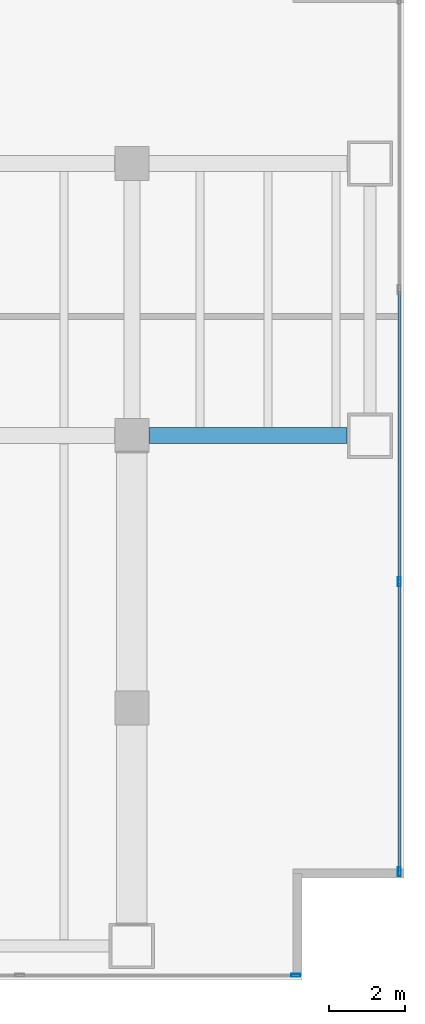
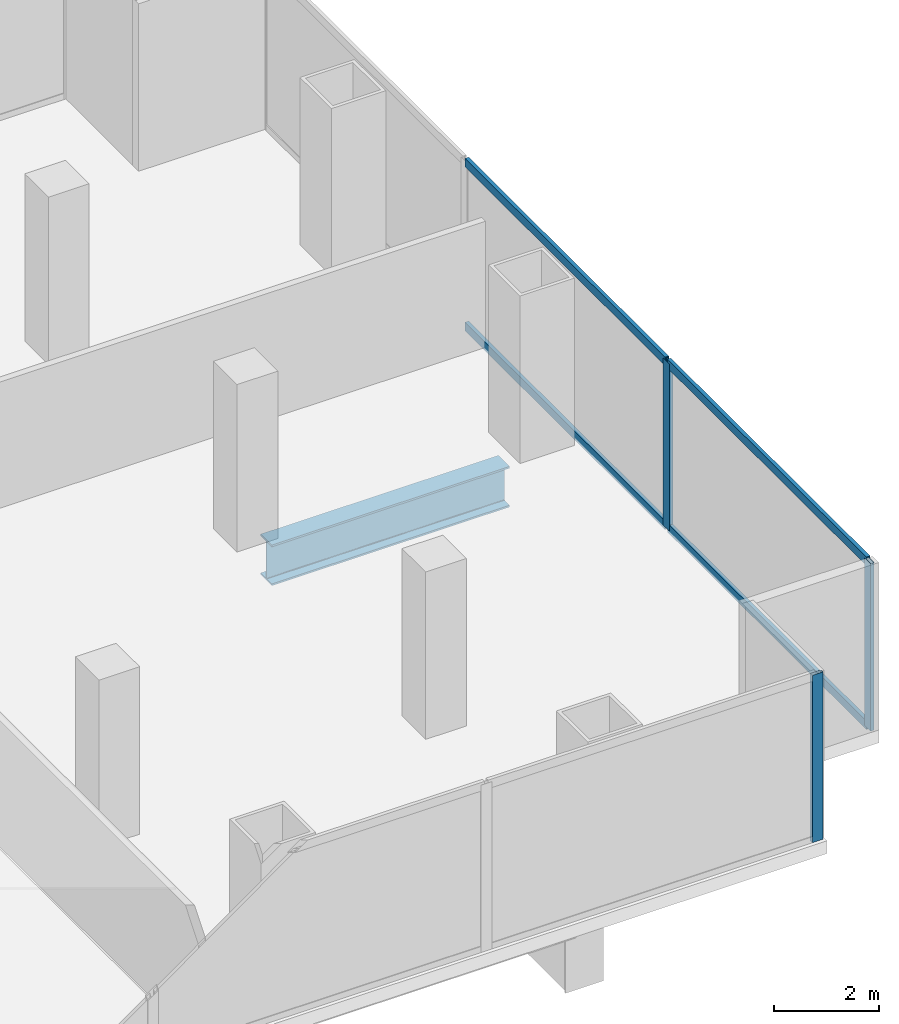
# One storey, part 20 of 34: 7 members, 1 beam, 2 elements without a shape of their own.
"""IFC4 building model written with IfcOpenShell, lengths in metres."""

from ifc_helpers import new_model, si_unit, direction, frame, origin, origin_2d, place, context, subcontext, project, spatial, hollow_rectangle, i_section, extrude, material, material_profile, profile_set, type_object, element, aggregate, save


model = new_model("IFC4")

# Units and contexts
model_context = context("Model", 3, precision=1e-05, world=origin(), true_north=direction((0.0, 1.0)))
body_context = subcontext(model_context, "Body", "Model", "MODEL_VIEW")
ifc_project = project(units=[si_unit("LENGTHUNIT", "METRE"), si_unit("AREAUNIT", "SQUARE_METRE"), si_unit("VOLUMEUNIT", "CUBIC_METRE"), si_unit("PLANEANGLEUNIT", "RADIAN"), si_unit("MASSUNIT", "GRAM", prefix="KILO")], contexts=[model_context])

# Site, building, storey
site_placement = place(None, origin())
site = spatial("IfcSite", under=ifc_project, at=site_placement, CompositionType="ELEMENT")
building_placement = place(site_placement, origin())
building = spatial("IfcBuilding", under=site, at=building_placement, Name="Cobrela Telecom Tower", CompositionType="ELEMENT")
storey_placement = place(building_placement, frame((0.0, 0.0, 5.25)))
storey = spatial("IfcBuildingStorey", under=building, at=storey_placement, Name="L01", CompositionType="ELEMENT", Elevation=5.25)

# Beam
ifc_material_1 = material(Name="Steel ASTM A992 Grade 50", Category="steel")
ifc_material_profile_1 = material_profile(ifc_material_1, i_section(OverallWidth=0.424072265625, OverallDepth=0.947021484375, WebThickness=0.02392578125, FlangeThickness=0.042724609375, FilletRadius=0.02392578125, at=origin_2d()), Name="W36X302")
ifc_profile_set_1 = profile_set([ifc_material_profile_1], Name="Steel ASTM A992 Grade 50")
beam_type = type_object("IfcBeamType", Name="BM-GIRD-01", PredefinedType="USERDEFINED", material=ifc_profile_set_1)
beam_placement = place(storey_placement, frame((79.655029296875, 14.39990234375, -0.7734375), z_axis=(1.0, 0.0, 0.0), x_axis=(0.0, 1.0, 0.0)))
element("IfcBeam", 1, at=beam_placement, inside=storey, type_object=beam_type, Name="L01 Primary Girder X22", ObjectType="GIRDER", PredefinedType="USERDEFINED", context=body_context, shape_type="SweptSolid", body=[
    extrude(i_section(OverallWidth=0.424072265625, OverallDepth=0.947021484375, WebThickness=0.02392578125, FlangeThickness=0.042724609375, FilletRadius=0.02392578125, at=origin_2d()), origin(), (0.0, 0.0, 1.0), 5.239990234375),
])

# Curtain wall, members
ifc_material_2 = material(Name="Anodized Bronze Aluminium 6063-T6", Category="aluminium")
curtain_wall_type = type_object("IfcCurtainWallType", Name="CW-SYS-CONC", PredefinedType="USERDEFINED", material=ifc_material_2)
curtain_wall_1_placement = place(storey_placement, origin())
curtain_wall_1 = element("IfcCurtainWall", 2, at=curtain_wall_1_placement, inside=storey, type_object=curtain_wall_type, Name="L01 Unitised Bronze Curtain Wall 14", ObjectType="UNITISED CURTAIN WALL", PredefinedType="USERDEFINED")
ifc_material_profile_2 = material_profile(ifc_material_2, hollow_rectangle(XDim=0.080078125, YDim=0.239990234375, WallThickness=0.0048828125, at=origin_2d()), Name="ALU 80x240x5")
ifc_profile_set_2 = profile_set([ifc_material_profile_2], Name="Anodized Bronze Aluminium 6063-T6")
member_type_1 = type_object("IfcMemberType", Name="CW-SYS-CONC-MUL", PredefinedType="MULLION", material=ifc_profile_set_2)
member_1_placement = place(storey_placement, frame((86.280029296875, 10.5400390625, 0.0), z_axis=(0.0, 0.0, 1.0), x_axis=(1.0, 0.0, 0.0)))
member_1 = element("IfcMember", 3, at=member_1_placement, type_object=member_type_1, Name="CW-CONC mullion 3", PredefinedType="MULLION", context=body_context, shape_type="SweptSolid", body=[
    extrude(hollow_rectangle(XDim=0.080078125, YDim=0.239990234375, WallThickness=0.0048828125, at=origin_2d()), origin(), (0.0, 0.0, 1.0), 3.89990234375),
])
member_2_placement = place(storey_placement, frame((86.280029296875, 2.860107421875, 0.0), z_axis=(0.0, 0.0, 1.0), x_axis=(1.0, 0.0, 0.0)))
member_2 = element("IfcMember", 4, at=member_2_placement, type_object=member_type_1, Name="CW-CONC mullion 4", PredefinedType="MULLION", context=body_context, shape_type="SweptSolid", body=[
    extrude(hollow_rectangle(XDim=0.080078125, YDim=0.239990234375, WallThickness=0.0048828125, at=origin_2d()), origin(), (0.0, 0.0, 1.0), 3.89990234375),
])

# Curtain wall, member
curtain_wall_2_placement = place(storey_placement, origin())
curtain_wall_2 = element("IfcCurtainWall", 5, at=curtain_wall_2_placement, inside=storey, type_object=curtain_wall_type, Name="L01 Unitised Bronze Curtain Wall 17", ObjectType="UNITISED CURTAIN WALL", PredefinedType="USERDEFINED")
member_3_placement = place(storey_placement, frame((83.5400390625, 0.1201171875, 0.0), z_axis=(0.0, 0.0, 1.0), x_axis=(0.0, -1.0, 0.0)))
member_3 = element("IfcMember", 6, at=member_3_placement, type_object=member_type_1, Name="CW-CONC mullion 1", PredefinedType="MULLION", context=body_context, shape_type="SweptSolid", body=[
    extrude(hollow_rectangle(XDim=0.080078125, YDim=0.239990234375, WallThickness=0.0048828125, at=origin_2d()), origin(), (0.0, 0.0, 1.0), 3.89990234375),
])
aggregate(curtain_wall_2, [member_3])

# Member
ifc_material_profile_3 = material_profile(ifc_material_2, hollow_rectangle(XDim=0.080078125, YDim=0.199951171875, WallThickness=0.00390625, at=origin_2d()), Name="ALU 80x200x4")
ifc_profile_set_3 = profile_set([ifc_material_profile_3], Name="Anodized Bronze Aluminium 6063-T6")
member_type_2 = type_object("IfcMemberType", Name="CW-SYS-CONC-TRN", PredefinedType="USERDEFINED", material=ifc_profile_set_3)
member_4_placement = place(storey_placement, frame((86.280029296875, 18.219970703125, 0.0400390625), z_axis=(0.0, -1.0, 0.0), x_axis=(1.0, 0.0, 0.0)))
member_4 = element("IfcMember", 7, at=member_4_placement, type_object=member_type_2, Name="CW-CONC transom 2.1", ObjectType="TRANSOM", PredefinedType="USERDEFINED", context=body_context, shape_type="SweptSolid", body=[
    extrude(hollow_rectangle(XDim=0.080078125, YDim=0.199951171875, WallThickness=0.00390625, at=origin_2d()), origin(), (0.0, 0.0, 1.0), 7.639892578125),
])

member_5_placement = place(storey_placement, frame((86.280029296875, 18.219970703125, 3.860107421875), z_axis=(0.0, -1.0, 0.0), x_axis=(1.0, 0.0, 0.0)))
member_5 = element("IfcMember", 8, at=member_5_placement, type_object=member_type_2, Name="CW-CONC transom 2.2", ObjectType="TRANSOM", PredefinedType="USERDEFINED", context=body_context, shape_type="SweptSolid", body=[
    extrude(hollow_rectangle(XDim=0.080078125, YDim=0.199951171875, WallThickness=0.00390625, at=origin_2d()), origin(), (0.0, 0.0, 1.0), 7.639892578125),
])

member_6_placement = place(storey_placement, frame((86.280029296875, 10.5, 0.0400390625), z_axis=(0.0, -1.0, 0.0), x_axis=(1.0, 0.0, 0.0)))
member_6 = element("IfcMember", 9, at=member_6_placement, type_object=member_type_2, Name="CW-CONC transom 3.1", ObjectType="TRANSOM", PredefinedType="USERDEFINED", context=body_context, shape_type="SweptSolid", body=[
    extrude(hollow_rectangle(XDim=0.080078125, YDim=0.199951171875, WallThickness=0.00390625, at=origin_2d()), origin(), (0.0, 0.0, 1.0), 7.60009765625),
])

member_7_placement = place(storey_placement, frame((86.280029296875, 10.5, 3.860107421875), z_axis=(0.0, -1.0, 0.0), x_axis=(1.0, 0.0, 0.0)))
member_7 = element("IfcMember", 10, at=member_7_placement, type_object=member_type_2, Name="CW-CONC transom 3.2", ObjectType="TRANSOM", PredefinedType="USERDEFINED", context=body_context, shape_type="SweptSolid", body=[
    extrude(hollow_rectangle(XDim=0.080078125, YDim=0.199951171875, WallThickness=0.00390625, at=origin_2d()), origin(), (0.0, 0.0, 1.0), 7.60009765625),
])

aggregate(curtain_wall_1, [member_1, member_2, member_4, member_5, member_6, member_7])

save(model, "model.ifc")
